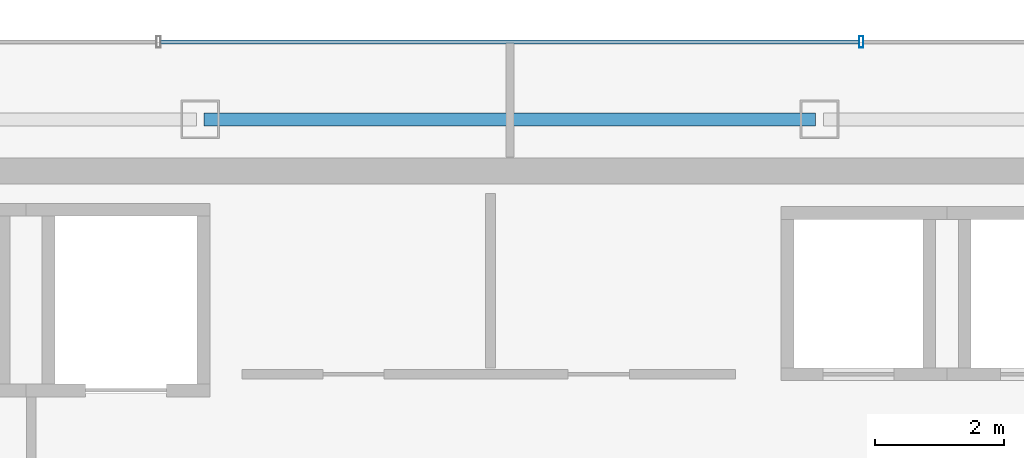
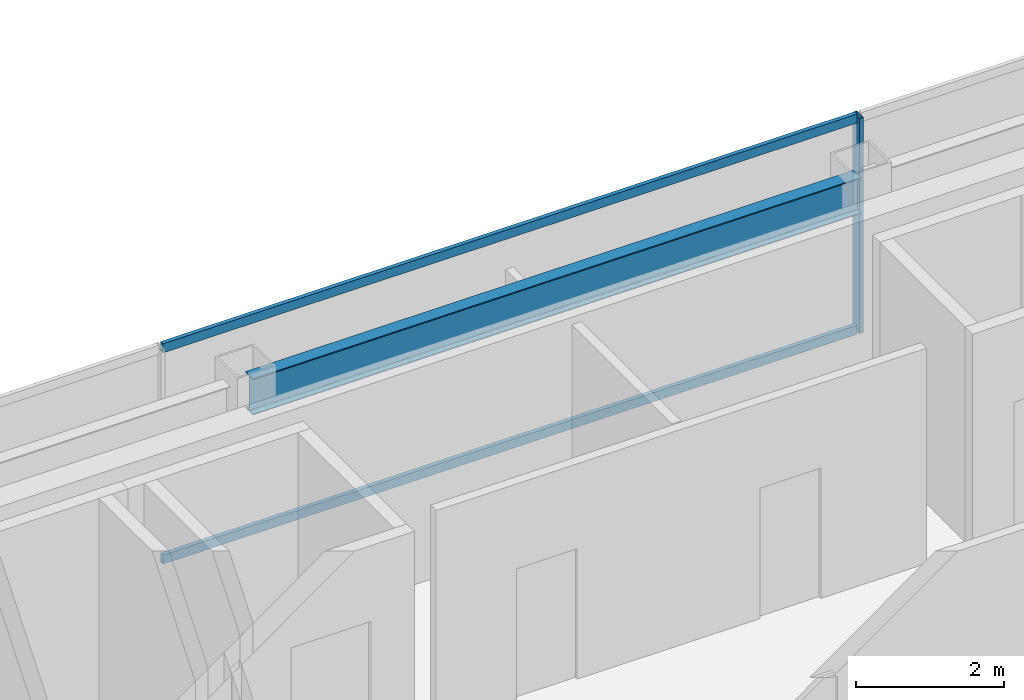
# One storey, part 11 of 23: 3 members, 1 beam, 1 element without a shape of its own.
"""IFC4 building model written with IfcOpenShell, lengths in metres."""

from ifc_helpers import new_model, si_unit, direction, frame, origin, origin_2d, place, context, subcontext, project, spatial, hollow_rectangle, i_section, extrude, material, material_profile, profile_set, type_object, element, aggregate, save


model = new_model("IFC4")

# Units and contexts
model_context = context("Model", 3, precision=1e-05, world=origin(), true_north=direction((0.0, 1.0)))
body_context = subcontext(model_context, "Body", "Model", "MODEL_VIEW")
ifc_project = project(units=[si_unit("LENGTHUNIT", "METRE"), si_unit("AREAUNIT", "SQUARE_METRE"), si_unit("VOLUMEUNIT", "CUBIC_METRE"), si_unit("PLANEANGLEUNIT", "RADIAN"), si_unit("MASSUNIT", "GRAM", prefix="KILO")], contexts=[model_context])

# Site, building, storey
site_placement = place(None, origin())
site = spatial("IfcSite", under=ifc_project, at=site_placement, CompositionType="ELEMENT")
building_placement = place(site_placement, origin())
building = spatial("IfcBuilding", under=site, at=building_placement, Name="Saevonmaru Cultural Tower", CompositionType="ELEMENT")
storey_placement = place(building_placement, frame((0.0, 0.0, 302.800048828125)))
storey = spatial("IfcBuildingStorey", under=building, at=storey_placement, Name="L72", CompositionType="ELEMENT", Elevation=302.800048828125)

# Beam
ifc_material_1 = material(Name="Steel SM355", Category="steel")
ifc_material_profile_1 = material_profile(ifc_material_1, i_section(OverallWidth=0.199951171875, OverallDepth=0.60009765625, WebThickness=0.010986328125, FlangeThickness=0.01708984375, FilletRadius=0.02197265625, at=origin_2d()), Name="H-600x200x11x17")
ifc_profile_set_1 = profile_set([ifc_material_profile_1], Name="Steel SM355")
beam_type = type_object("IfcBeamType", Name="BM-SP-H600", PredefinedType="SPANDREL", material=ifc_profile_set_1)
beam_placement = place(storey_placement, frame((25.260009765625, 54.800048828125, 3.25), z_axis=(1.0, 0.0, 0.0), x_axis=(0.0, 1.0, 0.0)))
element("IfcBeam", 1, at=beam_placement, inside=storey, type_object=beam_type, Name="L72 North Spine Girder 3", PredefinedType="SPANDREL", context=body_context, shape_type="SweptSolid", body=[
    extrude(i_section(OverallWidth=0.199951171875, OverallDepth=0.60009765625, WebThickness=0.010986328125, FlangeThickness=0.01708984375, FilletRadius=0.02197265625, at=origin_2d()), origin(), (0.0, 0.0, 1.0), 9.47998046875),
])

# Curtain wall, members
ifc_material_2 = material(Name="Satin Bronze Anodised Aluminium", Category="aluminium")
curtain_wall_type = type_object("IfcCurtainWallType", Name="CW-TYP-B", PredefinedType="NOTDEFINED", material=ifc_material_2)
curtain_wall_placement = place(storey_placement, origin())
curtain_wall = element("IfcCurtainWall", 2, at=curtain_wall_placement, inside=storey, type_object=curtain_wall_type, Name="L72 North Spine Unitised Curtain Wall E10B", PredefinedType="NOTDEFINED")
ifc_material_profile_2 = material_profile(ifc_material_2, hollow_rectangle(XDim=0.06494140625, YDim=0.179931640625, WallThickness=0.00390625, at=origin_2d()), Name="ALU-MULL-180x65x4")
ifc_profile_set_2 = profile_set([ifc_material_profile_2], Name="Satin Bronze Anodised Aluminium")
member_type_1 = type_object("IfcMemberType", Name="ML-CW-180x65", PredefinedType="MULLION", material=ifc_profile_set_2)
member_1_placement = place(storey_placement, frame((35.44677734375, 56.0, 0.0), z_axis=(0.0, 0.0, 1.0), x_axis=(-1.0, 0.0, 0.0)))
member_1 = element("IfcMember", 3, at=member_1_placement, type_object=member_type_1, Name="CW-TW-L72-E10B mullion 2", PredefinedType="MULLION", context=body_context, shape_type="SweptSolid", body=[
    extrude(hollow_rectangle(XDim=0.06494140625, YDim=0.179931640625, WallThickness=0.00390625, at=origin_2d()), origin(), (0.0, 0.0, 1.0), 3.550048828125),
])
ifc_material_profile_3 = material_profile(ifc_material_2, hollow_rectangle(XDim=0.06494140625, YDim=0.14990234375, WallThickness=0.00390625, at=origin_2d()), Name="ALU-TRAN-150x65x4")
ifc_profile_set_3 = profile_set([ifc_material_profile_3], Name="Satin Bronze Anodised Aluminium")
member_type_2 = type_object("IfcMemberType", Name="TR-CW-150x65", PredefinedType="USERDEFINED", material=ifc_profile_set_3)
member_2_placement = place(storey_placement, frame((35.4140625, 56.0, 0.032470703125), z_axis=(-1.0, 0.0, 0.0), x_axis=(0.0, -1.0, 0.0)))
member_2 = element("IfcMember", 4, at=member_2_placement, type_object=member_type_2, Name="CW-TW-L72-E10B transom 2.1", ObjectType="TRANSOM", PredefinedType="USERDEFINED", context=body_context, shape_type="SweptSolid", body=[
    extrude(hollow_rectangle(XDim=0.06494140625, YDim=0.14990234375, WallThickness=0.00390625, at=origin_2d()), origin(), (0.0, 0.0, 1.0), 10.828125),
])
member_3_placement = place(storey_placement, frame((35.4140625, 56.0, 3.517333984375), z_axis=(-1.0, 0.0, 0.0), x_axis=(0.0, -1.0, 0.0)))
member_3 = element("IfcMember", 5, at=member_3_placement, type_object=member_type_2, Name="CW-TW-L72-E10B transom 2.2", ObjectType="TRANSOM", PredefinedType="USERDEFINED", context=body_context, shape_type="SweptSolid", body=[
    extrude(hollow_rectangle(XDim=0.06494140625, YDim=0.14990234375, WallThickness=0.00390625, at=origin_2d()), origin(), (0.0, 0.0, 1.0), 10.828125),
])
aggregate(curtain_wall, [member_1, member_2, member_3])

save(model, "model.ifc")
